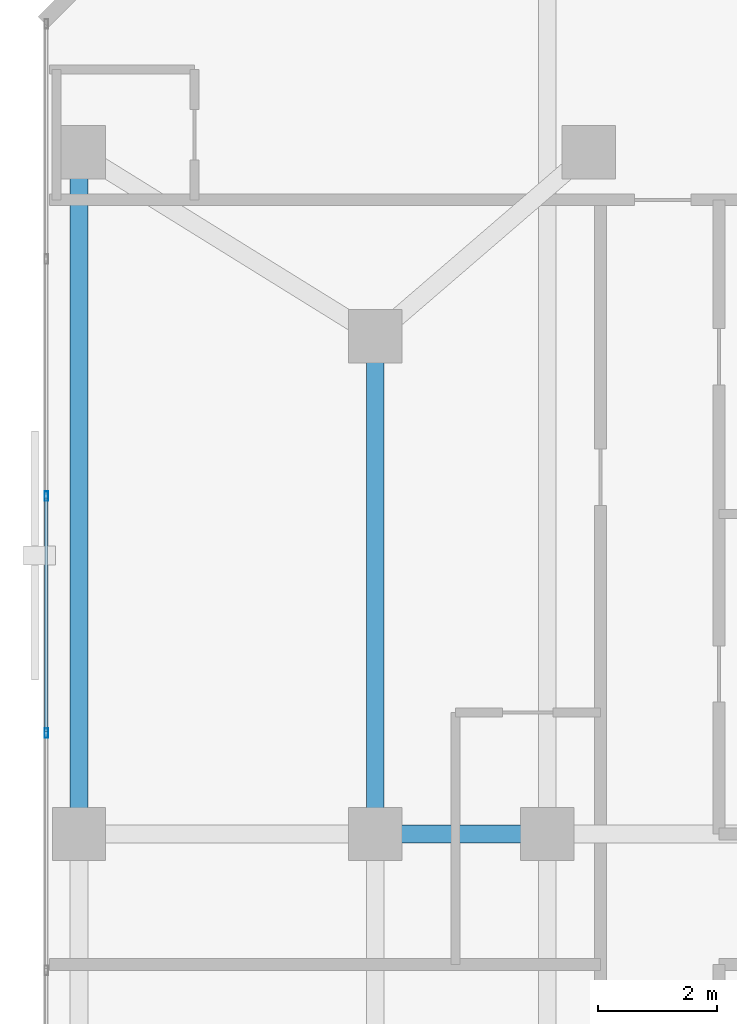
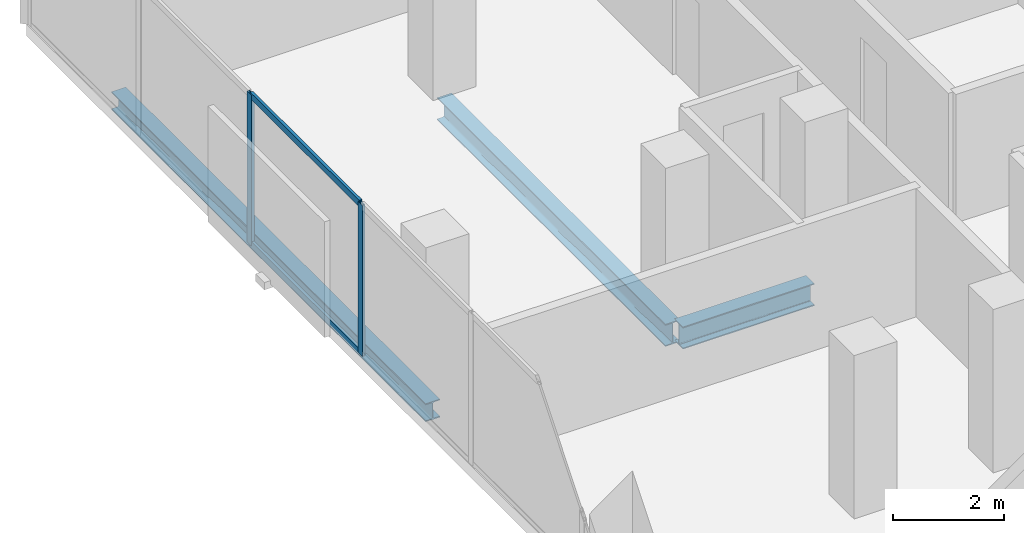
# One storey, part 11 of 34: 4 members, 3 beams, 1 element without a shape of its own.
"""IFC4 building model written with IfcOpenShell, lengths in metres."""

from ifc_helpers import new_model, si_unit, direction, frame, origin, origin_2d, place, context, subcontext, project, spatial, hollow_rectangle, i_section, extrude, material, layer, layer_set, material_profile, profile_set, type_object, element, aggregate, save


model = new_model("IFC4")

# Units and contexts
model_context = context("Model", 3, precision=1e-05, world=origin(), true_north=direction((0.0, 1.0)))
body_context = subcontext(model_context, "Body", "Model", "MODEL_VIEW")
ifc_project = project(units=[si_unit("LENGTHUNIT", "METRE"), si_unit("AREAUNIT", "SQUARE_METRE"), si_unit("VOLUMEUNIT", "CUBIC_METRE"), si_unit("PLANEANGLEUNIT", "RADIAN"), si_unit("MASSUNIT", "GRAM", prefix="KILO")], contexts=[model_context])

# Site, building, storey
site_placement = place(None, origin())
site = spatial("IfcSite", under=ifc_project, at=site_placement, CompositionType="ELEMENT")
building_placement = place(site_placement, origin())
building = spatial("IfcBuilding", under=site, at=building_placement, Name="Catumbela Crestline Tower", CompositionType="ELEMENT")
storey_placement = place(building_placement, frame((0.0, 0.0, 97.2)))
storey = spatial("IfcBuildingStorey", under=building, at=storey_placement, Name="L24", CompositionType="ELEMENT", Elevation=97.2)

# Beams
ifc_material_1 = material(Name="Structural steel S355J2", Category="steel")
ifc_material_profile_1 = material_profile(ifc_material_1, i_section(OverallWidth=0.3, OverallDepth=0.49, WebThickness=0.012, FlangeThickness=0.023, FilletRadius=0.027, at=origin_2d()), Name="HEA 500")
ifc_profile_set_1 = profile_set([ifc_material_profile_1], Name="Structural steel S355J2")
beam_type_1 = type_object("IfcBeamType", Name="BG-HEA500", PredefinedType="BEAM", material=ifc_profile_set_1)
beam_1_placement = place(storey_placement, frame((5.68, 30.8, -0.505), z_axis=(1.0, 0.0, 0.0), x_axis=(0.0, 1.0, 0.0)))
element("IfcBeam", 1, at=beam_1_placement, inside=storey, type_object=beam_type_1, Name="L24 Beam BM-L24-M08", PredefinedType="BEAM", context=body_context, shape_type="SweptSolid", body=[
    extrude(i_section(OverallWidth=0.3, OverallDepth=0.49, WebThickness=0.012, FlangeThickness=0.023, FilletRadius=0.027, at=origin_2d()), origin(), (0.0, 0.0, 1.0), 2.74),
])
beam_2_placement = place(storey_placement, frame((5.6, 30.88, -0.505), z_axis=(0.0, 1.0, 0.0), x_axis=(-1.0, 0.0, 0.0)))
element("IfcBeam", 2, at=beam_2_placement, inside=storey, type_object=beam_type_1, Name="L24 Beam BM-L24-SN25", PredefinedType="BEAM", context=body_context, shape_type="SweptSolid", body=[
    extrude(i_section(OverallWidth=0.3, OverallDepth=0.49, WebThickness=0.012, FlangeThickness=0.023, FilletRadius=0.027, at=origin_2d()), origin(), (0.0, 0.0, 1.0), 8.24),
])

# Curtain wall, members
ifc_material_2 = material(Name="Aluminium alloy AW-6060-T66", Category="aluminium")
ifc_layer = layer(ifc_material_2, 0.18, Name="Aluminium alloy AW-6060-T66")
ifc_layer_set = layer_set([ifc_layer], Name="Aluminium alloy AW-6060-T66")
curtain_wall_type = type_object("IfcCurtainWallType", Name="CWU-Z2", PredefinedType="USERDEFINED", material=ifc_layer_set)
curtain_wall_placement = place(storey_placement, origin())
curtain_wall = element("IfcCurtainWall", 3, at=curtain_wall_placement, inside=storey, type_object=curtain_wall_type, Name="L24 Unitised Curtain Wall CW-L24-E9S1", ObjectType="UNITISED", PredefinedType="USERDEFINED")
ifc_material_profile_2 = material_profile(ifc_material_2, hollow_rectangle(XDim=0.06, YDim=0.16, WallThickness=0.004, at=origin_2d()), Name="ALU 160x60x4")
ifc_profile_set_2 = profile_set([ifc_material_profile_2], Name="Aluminium alloy AW-6060-T66")
member_type_1 = type_object("IfcMemberType", Name="MUL-160X60", PredefinedType="MULLION", material=ifc_profile_set_2)
member_1_placement = place(storey_placement, frame((0.05, 36.5, 0.0), z_axis=(0.0, 0.0, 1.0), x_axis=(1.0, 0.0, 0.0)))
member_1 = element("IfcMember", 4, at=member_1_placement, type_object=member_type_1, Name="CWU-Z2 mullion 3", PredefinedType="MULLION", context=body_context, shape_type="SweptSolid", body=[
    extrude(hollow_rectangle(XDim=0.06, YDim=0.16, WallThickness=0.004, at=origin_2d()), origin(), (0.0, 0.0, 1.0), 3.33),
])
member_2_placement = place(storey_placement, frame((0.05, 32.5, 0.0), z_axis=(0.0, 0.0, 1.0), x_axis=(1.0, 0.0, 0.0)))
member_2 = element("IfcMember", 5, at=member_2_placement, type_object=member_type_1, Name="CWU-Z2 mullion 4", PredefinedType="MULLION", context=body_context, shape_type="SweptSolid", body=[
    extrude(hollow_rectangle(XDim=0.06, YDim=0.16, WallThickness=0.004, at=origin_2d()), origin(), (0.0, 0.0, 1.0), 3.33),
])

# Beam
ifc_material_profile_3 = material_profile(ifc_material_1, i_section(OverallWidth=0.3, OverallDepth=0.4, WebThickness=0.0135, FlangeThickness=0.024, FilletRadius=0.027, at=origin_2d()), Name="HEB 400")
ifc_profile_set_3 = profile_set([ifc_material_profile_3], Name="Structural steel S355J2")
beam_type_2 = type_object("IfcBeamType", Name="BS-HEB400", PredefinedType="SPANDREL", material=ifc_profile_set_3)
beam_3_placement = place(storey_placement, frame((0.6, 30.88, -0.46), z_axis=(0.0, 1.0, 0.0), x_axis=(-1.0, 0.0, 0.0)))
element("IfcBeam", 6, at=beam_3_placement, inside=storey, type_object=beam_type_2, Name="L24 Spandrel SP-L24-SN23", PredefinedType="SPANDREL", context=body_context, shape_type="SweptSolid", body=[
    extrude(i_section(OverallWidth=0.3, OverallDepth=0.4, WebThickness=0.0135, FlangeThickness=0.024, FilletRadius=0.027, at=origin_2d()), origin(), (0.0, 0.0, 1.0), 11.34),
])

# Member
ifc_material_profile_4 = material_profile(ifc_material_2, hollow_rectangle(XDim=0.06, YDim=0.14, WallThickness=0.004, at=origin_2d()), Name="ALU 140x60x4")
ifc_profile_set_4 = profile_set([ifc_material_profile_4], Name="Aluminium alloy AW-6060-T66")
member_type_2 = type_object("IfcMemberType", Name="TRN-140X60", PredefinedType="USERDEFINED", material=ifc_profile_set_4)
member_3_placement = place(storey_placement, frame((0.05, 36.4675, 0.03), z_axis=(0.0, -1.0, 0.0), x_axis=(1.0, 0.0, 0.0)))
member_3 = element("IfcMember", 7, at=member_3_placement, type_object=member_type_2, Name="CWU-Z2 transom 3.1", ObjectType="TRANSOM", PredefinedType="USERDEFINED", context=body_context, shape_type="SweptSolid", body=[
    extrude(hollow_rectangle(XDim=0.06, YDim=0.14, WallThickness=0.004, at=origin_2d()), origin(), (0.0, 0.0, 1.0), 3.935),
])

member_4_placement = place(storey_placement, frame((0.05, 36.4675, 3.3), z_axis=(0.0, -1.0, 0.0), x_axis=(1.0, 0.0, 0.0)))
member_4 = element("IfcMember", 8, at=member_4_placement, type_object=member_type_2, Name="CWU-Z2 transom 3.2", ObjectType="TRANSOM", PredefinedType="USERDEFINED", context=body_context, shape_type="SweptSolid", body=[
    extrude(hollow_rectangle(XDim=0.06, YDim=0.14, WallThickness=0.004, at=origin_2d()), origin(), (0.0, 0.0, 1.0), 3.935),
])

aggregate(curtain_wall, [member_1, member_2, member_3, member_4])

save(model, "model.ifc")
